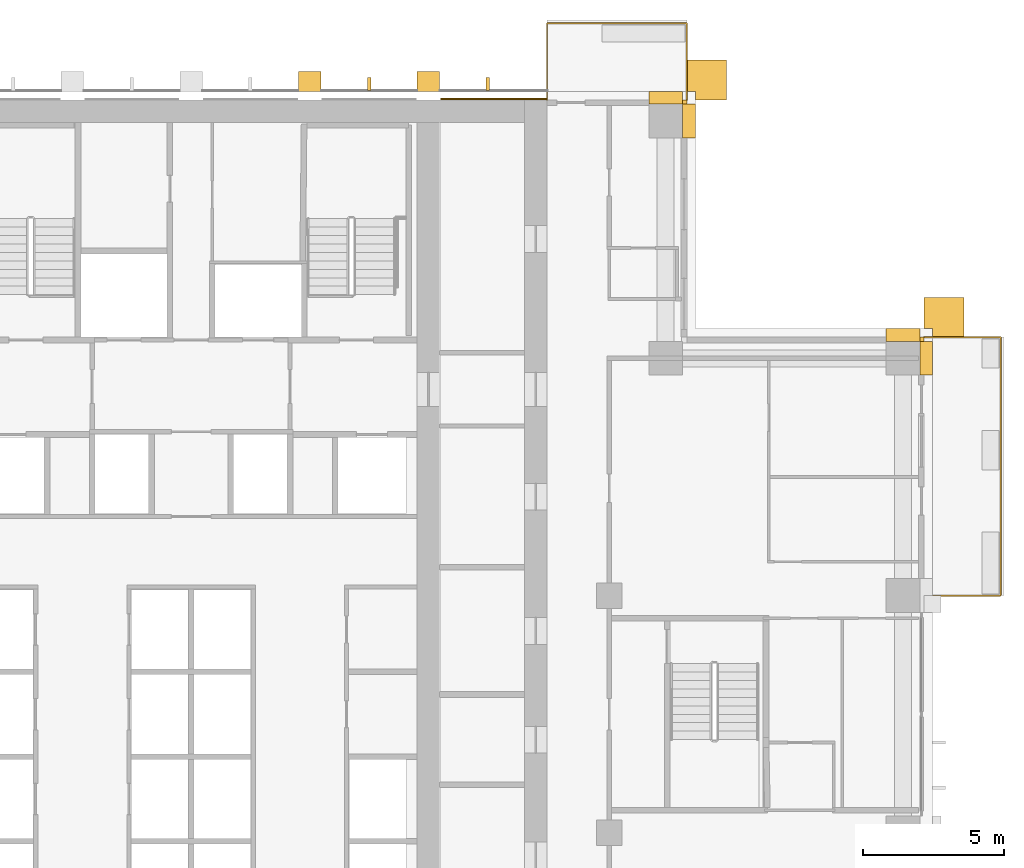
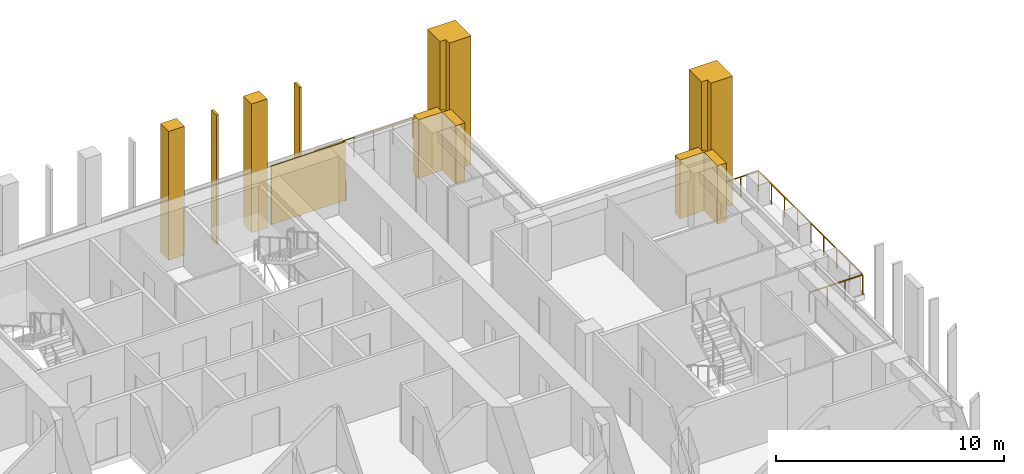
# One storey, part 17 of 17: 13 coverings, 2 railings.
"""IFC4 building model written with IfcOpenShell, lengths in metres."""

from ifc_helpers import new_model, si_unit, direction, frame, origin, origin_2d, place, context, subcontext, project, spatial, polyline, rectangle, outline, extrude, material, layer, layer_set, type_object, element, save


model = new_model("IFC4")

# Units and contexts
model_context = context("Model", 3, precision=1e-05, world=origin(), true_north=direction((0.0, 1.0)))
body_context = subcontext(model_context, "Body", "Model", "MODEL_VIEW")
ifc_project = project(units=[si_unit("LENGTHUNIT", "METRE"), si_unit("AREAUNIT", "SQUARE_METRE"), si_unit("VOLUMEUNIT", "CUBIC_METRE"), si_unit("PLANEANGLEUNIT", "RADIAN"), si_unit("MASSUNIT", "GRAM", prefix="KILO")], contexts=[model_context])

# Site, building, storey
site_placement = place(None, origin())
site = spatial("IfcSite", under=ifc_project, at=site_placement, CompositionType="ELEMENT")
building_placement = place(site_placement, origin())
building = spatial("IfcBuilding", under=site, at=building_placement, Name="Vermilion Ogive Tower", CompositionType="ELEMENT")
storey_placement = place(building_placement, frame((0.0, 0.0, 111.449951171875)))
storey = spatial("IfcBuildingStorey", under=building, at=storey_placement, Name="L28", CompositionType="ELEMENT", Elevation=111.449951171875)

# Railings
ifc_material_1 = material(Name="Stainless steel and glass", Category="steel")
railing_type = type_object("IfcRailingType", Name="Balcony guard", PredefinedType="GUARDRAIL", material=ifc_material_1)
railing_1_placement = place(storey_placement, frame((25.949951171875, 4.199951171875, -0.0400390625)))
element("IfcRailing", 1, at=railing_1_placement, inside=storey, type_object=railing_type, Name="Guard E03", PredefinedType="GUARDRAIL", context=body_context, shape_type="SweptSolid", body=[
    extrude(rectangle(XDim=0.048095703125, YDim=0.048095703125, at=origin_2d()), frame((0.0, 0.0, 1.076171875), z_axis=(1.0, 0.0, 0.0), x_axis=(0.0, 1.0, 0.0)), (0.0, 0.0, 1.0), 2.7041015625),
    extrude(rectangle(XDim=0.048095703125, YDim=0.048095703125, at=origin_2d()), frame((2.7041015625, 0.0, 1.076171875), z_axis=(0.0, 1.0, 0.0), x_axis=(-1.0, 0.0, 0.0)), (0.0, 0.0, 1.0), 9.150146484375),
    extrude(rectangle(XDim=0.048095703125, YDim=0.048095703125, at=origin_2d()), frame((2.7041015625, 9.150146484375, 1.076171875), z_axis=(-1.0, 0.0, 0.0), x_axis=(0.0, -1.0, 0.0)), (0.0, 0.0, 1.0), 2.7041015625),
    extrude(rectangle(XDim=0.0419921875, YDim=0.0419921875, at=origin_2d()), origin(), (0.0, 0.0, 1.0), 1.052001953125),
    extrude(rectangle(XDim=0.0419921875, YDim=0.0419921875, at=origin_2d()), frame((0.9013671875, 0.0, 0.0)), (0.0, 0.0, 1.0), 1.052001953125),
    extrude(rectangle(XDim=0.0419921875, YDim=0.0419921875, at=origin_2d()), frame((1.802734375, 0.0, 0.0)), (0.0, 0.0, 1.0), 1.052001953125),
    extrude(rectangle(XDim=0.0419921875, YDim=0.0419921875, at=origin_2d()), frame((2.7041015625, 0.0, 0.0)), (0.0, 0.0, 1.0), 1.052001953125),
    extrude(rectangle(XDim=0.0419921875, YDim=0.0419921875, at=origin_2d()), frame((2.7041015625, 1.143798828125, 0.0)), (0.0, 0.0, 1.0), 1.052001953125),
    extrude(rectangle(XDim=0.0419921875, YDim=0.0419921875, at=origin_2d()), frame((2.7041015625, 2.28759765625, 0.0)), (0.0, 0.0, 1.0), 1.052001953125),
    extrude(rectangle(XDim=0.0419921875, YDim=0.0419921875, at=origin_2d()), frame((2.7041015625, 3.431396484375, 0.0)), (0.0, 0.0, 1.0), 1.052001953125),
    extrude(rectangle(XDim=0.0419921875, YDim=0.0419921875, at=origin_2d()), frame((2.7041015625, 4.5751953125, 0.0)), (0.0, 0.0, 1.0), 1.052001953125),
    extrude(rectangle(XDim=0.0419921875, YDim=0.0419921875, at=origin_2d()), frame((2.7041015625, 5.71875, 0.0)), (0.0, 0.0, 1.0), 1.052001953125),
    extrude(rectangle(XDim=0.0419921875, YDim=0.0419921875, at=origin_2d()), frame((2.7041015625, 6.862548828125, 0.0)), (0.0, 0.0, 1.0), 1.052001953125),
    extrude(rectangle(XDim=0.0419921875, YDim=0.0419921875, at=origin_2d()), frame((2.7041015625, 8.00634765625, 0.0)), (0.0, 0.0, 1.0), 1.052001953125),
    extrude(rectangle(XDim=0.0419921875, YDim=0.0419921875, at=origin_2d()), frame((2.7041015625, 9.150146484375, 0.0)), (0.0, 0.0, 1.0), 1.052001953125),
    extrude(rectangle(XDim=0.0419921875, YDim=0.0419921875, at=origin_2d()), frame((1.802734375, 9.150146484375, 0.0)), (0.0, 0.0, 1.0), 1.052001953125),
    extrude(rectangle(XDim=0.0419921875, YDim=0.0419921875, at=origin_2d()), frame((0.9013671875, 9.150146484375, 0.0)), (0.0, 0.0, 1.0), 1.052001953125),
    extrude(rectangle(XDim=0.0419921875, YDim=0.0419921875, at=origin_2d()), frame((0.0, 9.150146484375, 0.0)), (0.0, 0.0, 1.0), 1.052001953125),
])
railing_2_placement = place(storey_placement, frame((17.550048828125, 21.75, -0.0400390625)))
element("IfcRailing", 2, at=railing_2_placement, inside=storey, type_object=railing_type, Name="Guard N101", PredefinedType="GUARDRAIL", context=body_context, shape_type="SweptSolid", body=[
    extrude(rectangle(XDim=0.048095703125, YDim=0.048095703125, at=origin_2d()), frame((0.0, 0.0, 1.076171875), z_axis=(0.0, 1.0, 0.0), x_axis=(-1.0, 0.0, 0.0)), (0.0, 0.0, 1.0), 2.7041015625),
    extrude(rectangle(XDim=0.048095703125, YDim=0.048095703125, at=origin_2d()), frame((0.0, 2.7041015625, 1.076171875), z_axis=(-1.0, 0.0, 0.0), x_axis=(0.0, -1.0, 0.0)), (0.0, 0.0, 1.0), 4.949951171875),
    extrude(rectangle(XDim=0.048095703125, YDim=0.048095703125, at=origin_2d()), frame((-4.949951171875, 2.7041015625, 1.076171875), z_axis=(0.0, -1.0, 0.0), x_axis=(1.0, 0.0, 0.0)), (0.0, 0.0, 1.0), 2.7041015625),
    extrude(rectangle(XDim=0.0419921875, YDim=0.0419921875, at=origin_2d()), origin(), (0.0, 0.0, 1.0), 1.052001953125),
    extrude(rectangle(XDim=0.0419921875, YDim=0.0419921875, at=origin_2d()), frame((0.0, 0.9013671875, 0.0)), (0.0, 0.0, 1.0), 1.052001953125),
    extrude(rectangle(XDim=0.0419921875, YDim=0.0419921875, at=origin_2d()), frame((0.0, 1.802734375, 0.0)), (0.0, 0.0, 1.0), 1.052001953125),
    extrude(rectangle(XDim=0.0419921875, YDim=0.0419921875, at=origin_2d()), frame((0.0, 2.7041015625, 0.0)), (0.0, 0.0, 1.0), 1.052001953125),
    extrude(rectangle(XDim=0.0419921875, YDim=0.0419921875, at=origin_2d()), frame((-0.989990234375, 2.7041015625, 0.0)), (0.0, 0.0, 1.0), 1.052001953125),
    extrude(rectangle(XDim=0.0419921875, YDim=0.0419921875, at=origin_2d()), frame((-1.97998046875, 2.7041015625, 0.0)), (0.0, 0.0, 1.0), 1.052001953125),
    extrude(rectangle(XDim=0.0419921875, YDim=0.0419921875, at=origin_2d()), frame((-2.969970703125, 2.7041015625, 0.0)), (0.0, 0.0, 1.0), 1.052001953125),
    extrude(rectangle(XDim=0.0419921875, YDim=0.0419921875, at=origin_2d()), frame((-3.9599609375, 2.7041015625, 0.0)), (0.0, 0.0, 1.0), 1.052001953125),
    extrude(rectangle(XDim=0.0419921875, YDim=0.0419921875, at=origin_2d()), frame((-4.949951171875, 2.7041015625, 0.0)), (0.0, 0.0, 1.0), 1.052001953125),
    extrude(rectangle(XDim=0.0419921875, YDim=0.0419921875, at=origin_2d()), frame((-4.949951171875, 1.802734375, 0.0)), (0.0, 0.0, 1.0), 1.052001953125),
    extrude(rectangle(XDim=0.0419921875, YDim=0.0419921875, at=origin_2d()), frame((-4.949951171875, 0.9013671875, 0.0)), (0.0, 0.0, 1.0), 1.052001953125),
    extrude(rectangle(XDim=0.0419921875, YDim=0.0419921875, at=origin_2d()), frame((-4.949951171875, 0.0, 0.0)), (0.0, 0.0, 1.0), 1.052001953125),
])

# Coverings
ifc_material_2 = material(Name="Glazed ceramic screen")
ifc_layer = layer(ifc_material_2, 0.14990234375)
ifc_layer_set = layer_set([ifc_layer], Name="Ceramic solar screen fin")
covering_type_1 = type_object("IfcCoveringType", Name="Ceramic solar screen fin", PredefinedType="CLADDING", material=ifc_layer_set)
covering_1_placement = place(storey_placement, frame((0.0, 0.0, -0.320068359375)))
element("IfcCovering", 3, at=covering_1_placement, inside=storey, type_object=covering_type_1, Name="Solar screen blade N5", PredefinedType="CLADDING", context=body_context, shape_type="SweptSolid", body=[
    extrude(outline(polyline([(6.239990234375, 22.08203125), (6.360107421875, 22.08203125), (6.360107421875, 22.531982421875), (6.239990234375, 22.531982421875), (6.239990234375, 22.08203125)])), origin(), (0.0, 0.0, 1.0), 6.900146484375),
])
covering_2_placement = place(storey_placement, frame((0.0, 0.0, -0.320068359375)))
element("IfcCovering", 4, at=covering_2_placement, inside=storey, type_object=covering_type_1, Name="Solar screen blade N6", PredefinedType="CLADDING", context=body_context, shape_type="SweptSolid", body=[
    extrude(outline(polyline([(10.43994140625, 22.08203125), (10.56005859375, 22.08203125), (10.56005859375, 22.531982421875), (10.43994140625, 22.531982421875), (10.43994140625, 22.08203125)])), origin(), (0.0, 0.0, 1.0), 6.900146484375),
])
ifc_material_3 = material(Name="Stone cladding", Category="masonry")
covering_type_2 = type_object("IfcCoveringType", Name="Stone buttress pier", PredefinedType="CLADDING", material=ifc_material_3)
covering_3_placement = place(storey_placement, frame((0.0, 0.0, -0.320068359375)))
element("IfcCovering", 5, at=covering_3_placement, inside=storey, type_object=covering_type_2, Name="Stone buttress pier N4", PredefinedType="CLADDING", context=body_context, shape_type="SweptSolid", body=[
    extrude(outline(polyline([(4.60009765625, 22.75), (4.60009765625, 22.050048828125), (3.800048828125, 22.050048828125), (3.800048828125, 22.75), (4.60009765625, 22.75)])), origin(), (0.0, 0.0, 1.0), 6.900146484375),
])
covering_4_placement = place(storey_placement, frame((0.0, 0.0, -0.320068359375)))
element("IfcCovering", 6, at=covering_4_placement, inside=storey, type_object=covering_type_2, Name="Stone buttress pier N5", PredefinedType="CLADDING", context=body_context, shape_type="SweptSolid", body=[
    extrude(outline(polyline([(8.800048828125, 22.75), (8.800048828125, 22.050048828125), (8.0, 22.050048828125), (8.0, 22.75), (8.800048828125, 22.75)])), origin(), (0.0, 0.0, 1.0), 6.900146484375),
])
ifc_material_4 = material(Name="Stone cladding", Category="masonry")
covering_type_3 = type_object("IfcCoveringType", Name="Stone cladding panel", PredefinedType="CLADDING", material=ifc_material_4)
covering_5_placement = place(storey_placement, origin())
element("IfcCovering", 7, at=covering_5_placement, inside=storey, type_object=covering_type_3, Name="Stone cladding panel N6", PredefinedType="CLADDING", context=body_context, shape_type="SweptSolid", body=[
    extrude(outline(polyline([(8.830078125, 21.75), (12.590087890625, 21.75), (12.590087890625, 21.81005859375), (8.830078125, 21.81005859375), (8.830078125, 21.75)])), origin(), (0.0, 0.0, 1.0), 3.130126953125),
])
ifc_material_5 = material(Name="Stone cladding", Category="masonry")
covering_type_4 = type_object("IfcCoveringType", Name="Stone corner buttress", PredefinedType="CLADDING", material=ifc_material_5)
covering_6_placement = place(storey_placement, frame((0.0, 0.0, -0.320068359375)))
element("IfcCovering", 8, at=covering_6_placement, inside=storey, type_object=covering_type_4, Name="Stone corner buttress X31", PredefinedType="CLADDING", context=body_context, shape_type="SweptSolid", body=[
    extrude(outline(polyline([(27.35009765625, 13.35009765625), (26.25, 13.35009765625), (26.25, 13.64990234375), (25.949951171875, 13.64990234375), (25.949951171875, 14.75), (27.35009765625, 14.75), (27.35009765625, 13.35009765625)])), origin(), (0.0, 0.0, 1.0), 6.900146484375),
])
covering_7_placement = place(storey_placement, frame((0.0, 0.0, -0.320068359375)))
element("IfcCovering", 9, at=covering_7_placement, inside=storey, type_object=covering_type_4, Name="Stone corner buttress N11", PredefinedType="CLADDING", context=body_context, shape_type="SweptSolid", body=[
    extrude(outline(polyline([(17.85009765625, 22.050048828125), (17.550048828125, 22.050048828125), (17.550048828125, 23.14990234375), (18.949951171875, 23.14990234375), (18.949951171875, 21.75), (17.85009765625, 21.75), (17.85009765625, 22.050048828125)])), origin(), (0.0, 0.0, 1.0), 6.900146484375),
])
ifc_material_6 = material(Name="Stone cladding", Category="masonry")
covering_type_5 = type_object("IfcCoveringType", Name="Stone pier", PredefinedType="CLADDING", material=ifc_material_6)
covering_8_placement = place(storey_placement, origin())
element("IfcCovering", 10, at=covering_8_placement, inside=storey, type_object=covering_type_5, Name="Stone corner pier EE1", PredefinedType="CLADDING", context=body_context, shape_type="SweptSolid", body=[
    extrude(outline(polyline([(25.949951171875, 13.199951171875), (25.800048828125, 13.199951171875), (25.800048828125, 13.35009765625), (25.949951171875, 13.35009765625), (25.949951171875, 13.199951171875)])), origin(), (0.0, 0.0, 1.0), 3.130126953125),
])
covering_9_placement = place(storey_placement, origin())
element("IfcCovering", 11, at=covering_9_placement, inside=storey, type_object=covering_type_5, Name="Stone corner pier X4E1", PredefinedType="CLADDING", context=body_context, shape_type="SweptSolid", body=[
    extrude(outline(polyline([(17.550048828125, 21.60009765625), (17.39990234375, 21.60009765625), (17.39990234375, 21.60009765625), (17.39990234375, 21.75), (17.550048828125, 21.75), (17.550048828125, 21.60009765625)])), origin(), (0.0, 0.0, 1.0), 3.130126953125),
])
covering_10_placement = place(storey_placement, origin())
element("IfcCovering", 12, at=covering_10_placement, inside=storey, type_object=covering_type_5, Name="Stone pier P+0168+210X4", PredefinedType="CLADDING", context=body_context, shape_type="SweptSolid", body=[
    extrude(outline(polyline([(17.85009765625, 21.60009765625), (17.85009765625, 20.39990234375), (17.39990234375, 20.39990234375), (17.39990234375, 21.60009765625), (17.85009765625, 21.60009765625)])), origin(), (0.0, 0.0, 1.0), 3.130126953125),
])
covering_11_placement = place(storey_placement, origin())
element("IfcCovering", 13, at=covering_11_placement, inside=storey, type_object=covering_type_5, Name="Stone pier P+0168+210N1", PredefinedType="CLADDING", context=body_context, shape_type="SweptSolid", body=[
    extrude(outline(polyline([(17.39990234375, 22.050048828125), (17.39990234375, 21.60009765625), (16.199951171875, 21.60009765625), (16.199951171875, 22.050048828125), (17.39990234375, 22.050048828125)])), origin(), (0.0, 0.0, 1.0), 3.130126953125),
])
covering_12_placement = place(storey_placement, origin())
element("IfcCovering", 14, at=covering_12_placement, inside=storey, type_object=covering_type_5, Name="Stone pier P+0252+126E", PredefinedType="CLADDING", context=body_context, shape_type="SweptSolid", body=[
    extrude(outline(polyline([(25.800048828125, 13.199951171875), (25.800048828125, 13.199951171875), (26.25, 13.199951171875), (26.25, 12.0), (25.800048828125, 12.0), (25.800048828125, 12.0), (25.800048828125, 13.199951171875)])), origin(), (0.0, 0.0, 1.0), 3.130126953125),
])
covering_13_placement = place(storey_placement, origin())
element("IfcCovering", 15, at=covering_13_placement, inside=storey, type_object=covering_type_5, Name="Stone pier P+0252+126X3", PredefinedType="CLADDING", context=body_context, shape_type="SweptSolid", body=[
    extrude(outline(polyline([(25.800048828125, 13.64990234375), (25.800048828125, 13.199951171875), (25.800048828125, 13.199951171875), (24.60009765625, 13.199951171875), (24.60009765625, 13.64990234375), (25.800048828125, 13.64990234375)])), origin(), (0.0, 0.0, 1.0), 3.130126953125),
])

save(model, "model.ifc")
